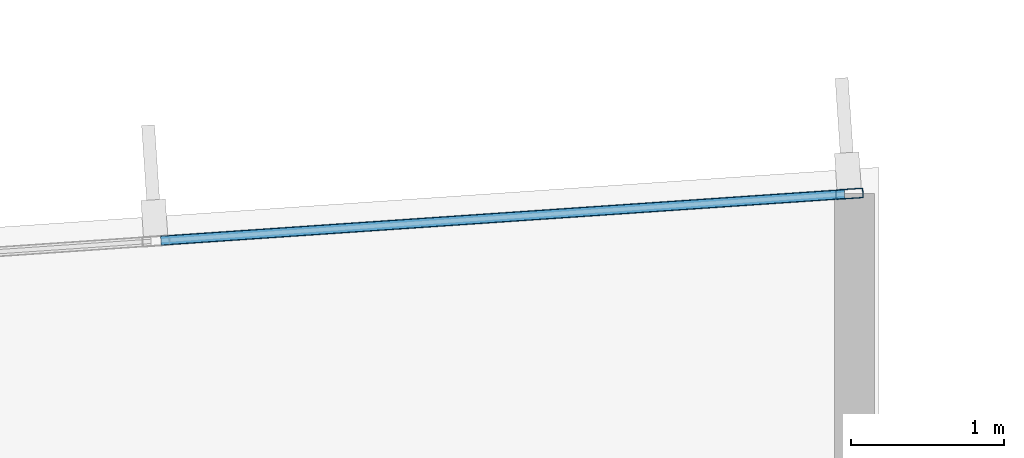
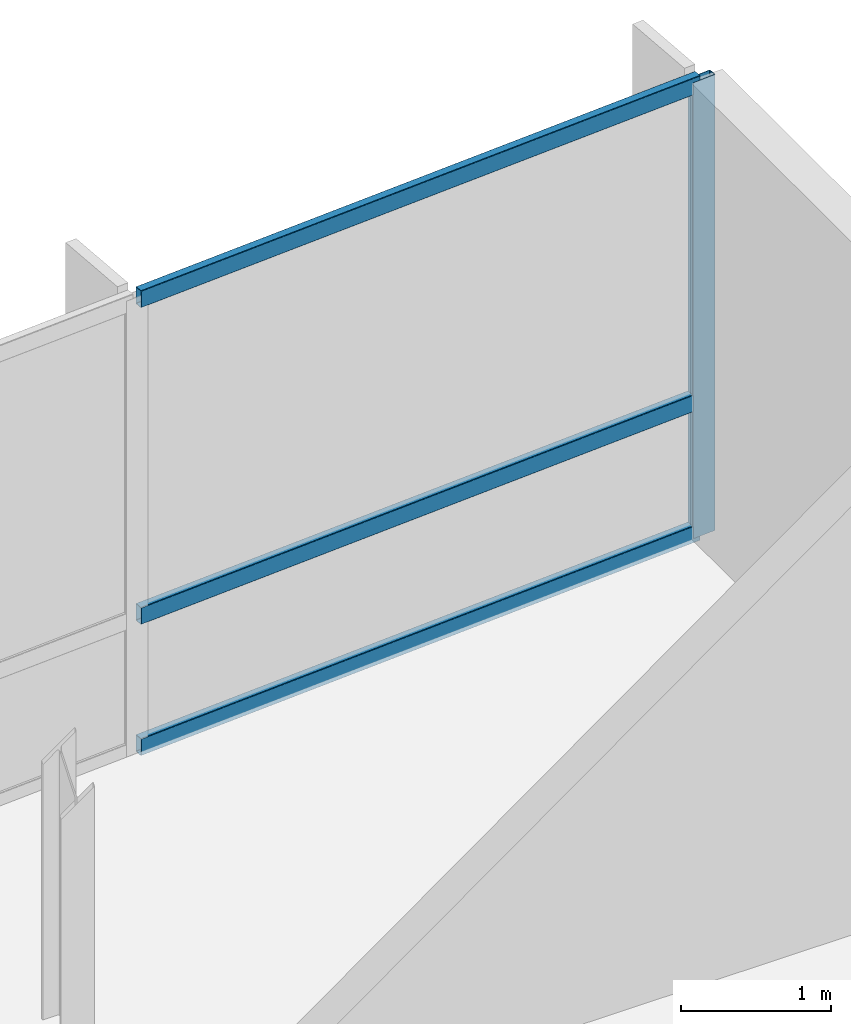
# One storey, part 8 of 15: 4 members, 1 element without a shape of its own.
"""IFC4 building model written with IfcOpenShell, lengths in metres."""

from ifc_helpers import new_model, si_unit, direction, frame, origin, origin_2d, place, context, subcontext, project, spatial, hollow_rectangle, extrude, material, layer, layer_set, material_profile, profile_set, type_object, element, aggregate, save


model = new_model("IFC4")

# Units and contexts
model_context = context("Model", 3, precision=1e-05, world=origin(), true_north=direction((0.0, 1.0)))
body_context = subcontext(model_context, "Body", "Model", "MODEL_VIEW")
ifc_project = project(units=[si_unit("LENGTHUNIT", "METRE"), si_unit("AREAUNIT", "SQUARE_METRE"), si_unit("VOLUMEUNIT", "CUBIC_METRE"), si_unit("PLANEANGLEUNIT", "RADIAN"), si_unit("MASSUNIT", "GRAM", prefix="KILO")], contexts=[model_context])

# Site, building, storey
site_placement = place(None, origin())
site = spatial("IfcSite", under=ifc_project, at=site_placement, CompositionType="ELEMENT")
building_placement = place(site_placement, origin())
building = spatial("IfcBuilding", under=site, at=building_placement, Name="Varnakote Quay Hospital", CompositionType="ELEMENT")
storey_placement = place(building_placement, frame((0.0, 0.0, 207.89990234375)))
storey = spatial("IfcBuildingStorey", under=building, at=storey_placement, Name="L51", CompositionType="ELEMENT", Elevation=207.89990234375)

# Curtain wall, members
ifc_material_1 = material(Name="Anodised aluminium 6063-T6 Bronze", Category="aluminium")
ifc_layer = layer(ifc_material_1, 0.219970703125)
ifc_layer_set = layer_set([ifc_layer], Name="Anodised aluminium 6063-T6 Bronze")
curtain_wall_type = type_object("IfcCurtainWallType", Name="CW-SYS-4", PredefinedType="NOTDEFINED", material=ifc_layer_set)
curtain_wall_placement = place(storey_placement, origin())
curtain_wall = element("IfcCurtainWall", 1, at=curtain_wall_placement, inside=storey, type_object=curtain_wall_type, Name="L51 Unitised Bronze Curtain Wall 2", PredefinedType="NOTDEFINED")
ifc_material_2 = material(Name="Anodised aluminium 6063-T6 Bronze", Category="aluminium")
ifc_material_profile_1 = material_profile(ifc_material_2, hollow_rectangle(XDim=0.06494140625, YDim=0.179931640625, WallThickness=0.00390625, InnerFilletRadius=0.00390625, OuterFilletRadius=0.008056640625, at=origin_2d()), Name="CW-MULL-180x65")
ifc_profile_set_1 = profile_set([ifc_material_profile_1], Name="Anodised aluminium 6063-T6 Bronze")
member_type_1 = type_object("IfcMemberType", Name="CW-MULL-180x65", PredefinedType="MULLION", material=ifc_profile_set_1)
member_1_placement = place(storey_placement, frame((48.507568359375, 31.626708984375, 0.0), z_axis=(0.0, 0.0, 1.0), x_axis=(0.067841851077, -0.997696087615, 0.0)))
member_1 = element("IfcMember", 2, at=member_1_placement, type_object=member_type_1, Name="-4-L51-2 mullion 1", PredefinedType="MULLION", context=body_context, shape_type="SweptSolid", body=[
    extrude(hollow_rectangle(XDim=0.06494140625, YDim=0.179931640625, WallThickness=0.00390625, InnerFilletRadius=0.00390625, OuterFilletRadius=0.008056640625, at=origin_2d()), origin(), (0.0, 0.0, 1.0), 3.710205078125),
])
ifc_material_3 = material(Name="Anodised aluminium 6063-T6 Bronze", Category="aluminium")
ifc_material_profile_2 = material_profile(ifc_material_3, hollow_rectangle(XDim=0.06494140625, YDim=0.139892578125, WallThickness=0.00390625, InnerFilletRadius=0.00390625, OuterFilletRadius=0.007568359375, at=origin_2d()), Name="CW-TRAN-140x65")
ifc_profile_set_2 = profile_set([ifc_material_profile_2], Name="Anodised aluminium 6063-T6 Bronze")
member_type_2 = type_object("IfcMemberType", Name="CW-TRAN-140x65", PredefinedType="USERDEFINED", material=ifc_profile_set_2)
member_2_placement = place(storey_placement, frame((48.47509765625, 31.62451171875, 0.03271484375), z_axis=(-0.997692996523, -0.067887294022, 0.0), x_axis=(0.067887294022, -0.997692996523, 0.0)))
member_2 = element("IfcMember", 3, at=member_2_placement, type_object=member_type_2, Name="-4-L51-2 transom 1.1", ObjectType="TRANSOM", PredefinedType="USERDEFINED", context=body_context, shape_type="SweptSolid", body=[
    extrude(hollow_rectangle(XDim=0.06494140625, YDim=0.139892578125, WallThickness=0.00390625, InnerFilletRadius=0.00390625, OuterFilletRadius=0.007568359375, at=origin_2d()), origin(), (0.0, 0.0, 1.0), 4.488037109375),
])
member_3_placement = place(storey_placement, frame((48.47509765625, 31.62451171875, 1.10009765625), z_axis=(-0.997692996523, -0.067887294022, 0.0), x_axis=(0.067887294022, -0.997692996523, 0.0)))
member_3 = element("IfcMember", 4, at=member_3_placement, type_object=member_type_2, Name="-4-L51-2 transom 1.2", ObjectType="TRANSOM", PredefinedType="USERDEFINED", context=body_context, shape_type="SweptSolid", body=[
    extrude(hollow_rectangle(XDim=0.06494140625, YDim=0.139892578125, WallThickness=0.00390625, InnerFilletRadius=0.00390625, OuterFilletRadius=0.007568359375, at=origin_2d()), origin(), (0.0, 0.0, 1.0), 4.488037109375),
])
member_4_placement = place(storey_placement, frame((48.47509765625, 31.62451171875, 3.677490234375), z_axis=(-0.997692996523, -0.067887294022, 0.0), x_axis=(0.067887294022, -0.997692996523, 0.0)))
member_4 = element("IfcMember", 5, at=member_4_placement, type_object=member_type_2, Name="-4-L51-2 transom 1.3", ObjectType="TRANSOM", PredefinedType="USERDEFINED", context=body_context, shape_type="SweptSolid", body=[
    extrude(hollow_rectangle(XDim=0.06494140625, YDim=0.139892578125, WallThickness=0.00390625, InnerFilletRadius=0.00390625, OuterFilletRadius=0.007568359375, at=origin_2d()), origin(), (0.0, 0.0, 1.0), 4.488037109375),
])
aggregate(curtain_wall, [member_1, member_2, member_3, member_4])

save(model, "model.ifc")
